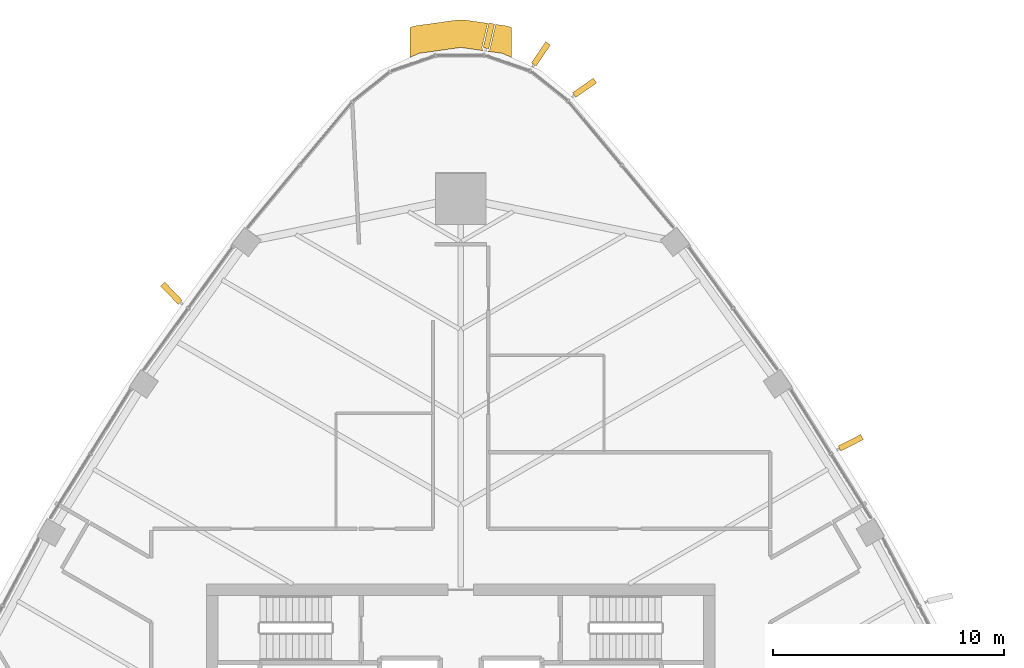
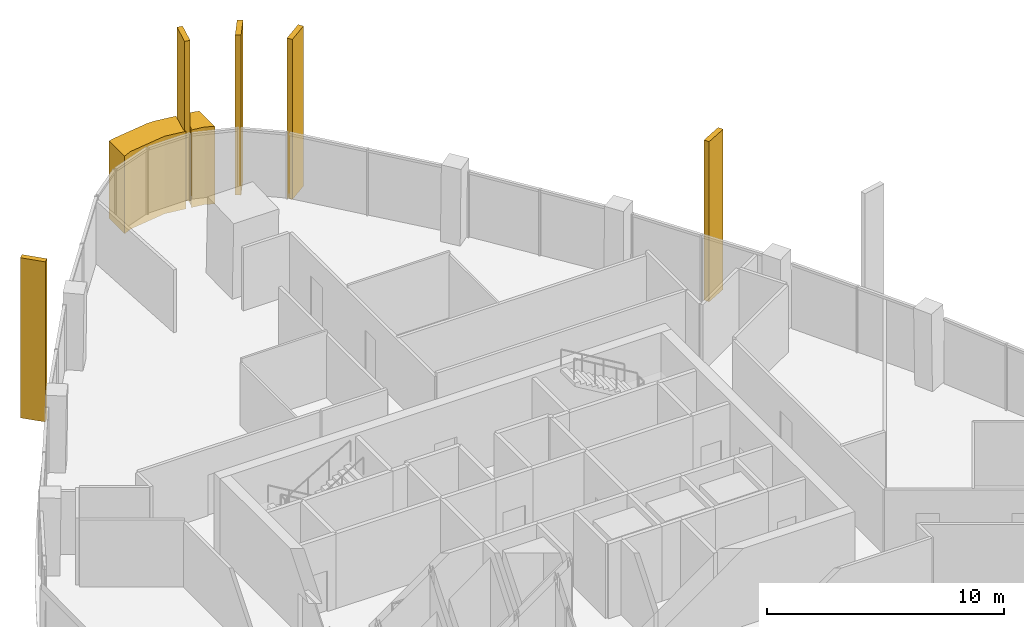
# One storey, part 17 of 18: 7 coverings.
"""IFC4 building model written with IfcOpenShell, lengths in metres."""

from ifc_helpers import new_model, si_unit, direction, frame, origin, origin_2d, place, context, subcontext, project, spatial, polyline, rectangle, outline, extrude, material, layer, layer_set, material_profile, profile_set, type_object, element, save


model = new_model("IFC4")

# Units and contexts
model_context = context("Model", 3, precision=1e-05, world=origin(), true_north=direction((0.0, 1.0)))
body_context = subcontext(model_context, "Body", "Model", "MODEL_VIEW")
ifc_project = project(units=[si_unit("LENGTHUNIT", "METRE"), si_unit("AREAUNIT", "SQUARE_METRE"), si_unit("VOLUMEUNIT", "CUBIC_METRE"), si_unit("PLANEANGLEUNIT", "RADIAN"), si_unit("MASSUNIT", "GRAM", prefix="KILO")], contexts=[model_context])

# Site, building, storey
site_placement = place(None, origin())
site = spatial("IfcSite", under=ifc_project, at=site_placement, CompositionType="ELEMENT")
building_placement = place(site_placement, origin())
building = spatial("IfcBuilding", under=site, at=building_placement, Name="Sierra Prisma Convention Tower", CompositionType="ELEMENT")
storey_placement = place(building_placement, frame((0.0, 0.0, 263.0)))
storey = spatial("IfcBuildingStorey", under=building, at=storey_placement, Name="L59", CompositionType="ELEMENT", Elevation=263.0)

# Coverings
ifc_material_1 = material(Name="Aluminium composite bronze anodised", Category="aluminium")
ifc_layer = layer(ifc_material_1, 1.199951171875)
ifc_layer_set = layer_set([ifc_layer], Name="Bronze corner pier")
covering_type_1 = type_object("IfcCoveringType", Name="Bronze corner pier", PredefinedType="CLADDING", material=ifc_layer_set)
covering_1_placement = place(storey_placement, frame((0.0, 0.0, -0.60009765625)))
element("IfcCovering", 1, at=covering_1_placement, inside=storey, type_object=covering_type_1, Name="Corner pier N L59.1", PredefinedType="CLADDING", context=body_context, shape_type="SweptSolid", body=[
    extrude(outline(polyline([(0.922119140625, 31.231689453125), (0.921142578125, 31.226806640625), (0.9208984375, 31.2216796875), (0.9208984375, 31.216796875), (0.921630859375, 31.2119140625), (0.922607421875, 31.206787109375), (0.92431640625, 31.2021484375), (0.969482421875, 31.088623046875), (0.0, 31.225341796875), (-1.8037109375, 30.970703125), (-2.199951171875, 30.79345703125), (-2.199951171875, 32.093017578125), (-1.971435546875, 32.158935546875), (-0.167724609375, 32.41357421875), (0.167724609375, 32.41357421875), (1.1630859375, 32.273193359375), (0.922119140625, 31.231689453125)])), origin(), (0.0, 0.0, 1.0), 4.0),
])
covering_2_placement = place(storey_placement, frame((0.0, 0.0, -0.60009765625)))
element("IfcCovering", 2, at=covering_2_placement, inside=storey, type_object=covering_type_1, Name="Corner pier N L59.2", PredefinedType="CLADDING", context=body_context, shape_type="SweptSolid", body=[
    extrude(outline(polyline([(1.185302734375, 31.05810546875), (1.251220703125, 31.13037109375), (1.254638671875, 31.134521484375), (1.25732421875, 31.138671875), (1.259765625, 31.143310546875), (1.26171875, 31.14794921875), (1.26318359375, 31.15283203125), (1.510986328125, 32.22412109375), (1.971435546875, 32.158935546875), (2.199951171875, 32.093017578125), (2.199951171875, 30.79345703125), (1.8037109375, 30.970703125), (1.185302734375, 31.05810546875)])), origin(), (0.0, 0.0, 1.0), 4.0),
])
ifc_material_2 = material(Name="Aluminium 6063-T6 bronze anodised", Category="aluminium")
ifc_material_profile = material_profile(ifc_material_2, rectangle(XDim=1.10009765625, YDim=0.25, at=origin_2d()), Name="ALU FIN 1100x250")
ifc_profile_set = profile_set([ifc_material_profile], Name="Aluminium 6063-T6 bronze anodised")
covering_type_2 = type_object("IfcCoveringType", Name="Bronze facade fin", PredefinedType="CLADDING", material=ifc_profile_set)
for number, where, z_axis, x_axis, name in (
    (3, (16.88037109375, 14.1162109375, -0.300048828125), (0.0, 0.0, 1.0), (0.890623743241, 0.454740967997, 0.0), "Fin L59.33"),
    (4, (5.360107421875, 29.4794921875, -0.300048828125), (0.0, 0.0, 1.0), (0.821003537299, 0.57092310493, 0.0), "Fin L59.40"),
    (5, (3.47314453125, 30.948486328125, -0.300048828125), (0.0, 0.0, 1.0), (0.560801239664, 0.827950463247, 0.0), "Fin L59.41"),
    (6, (1.216796875, 31.728271484375, -0.300048828125), (0.0, 0.0, 1.0), (0.225581514336, 0.974224296756, 0.0), "Fin L59.42"),
    (7, (-12.51904296875, 20.588134765625, -0.300048828125), (0.0, 0.0, 1.0), (-0.692838127962, 0.721093148242, 0.0), "Fin L59.49"),
):
    element("IfcCovering", number, at=place(storey_placement, frame(where, z_axis=z_axis, x_axis=x_axis)), inside=storey, type_object=covering_type_2, Name=name, ObjectType="FIN", PredefinedType="CLADDING", context=body_context, shape_type="SweptSolid", body=[
        extrude(rectangle(XDim=1.10009765625, YDim=0.25, at=origin_2d()), origin(), (0.0, 0.0, 1.0), 8.25),
    ])

save(model, "model.ifc")
